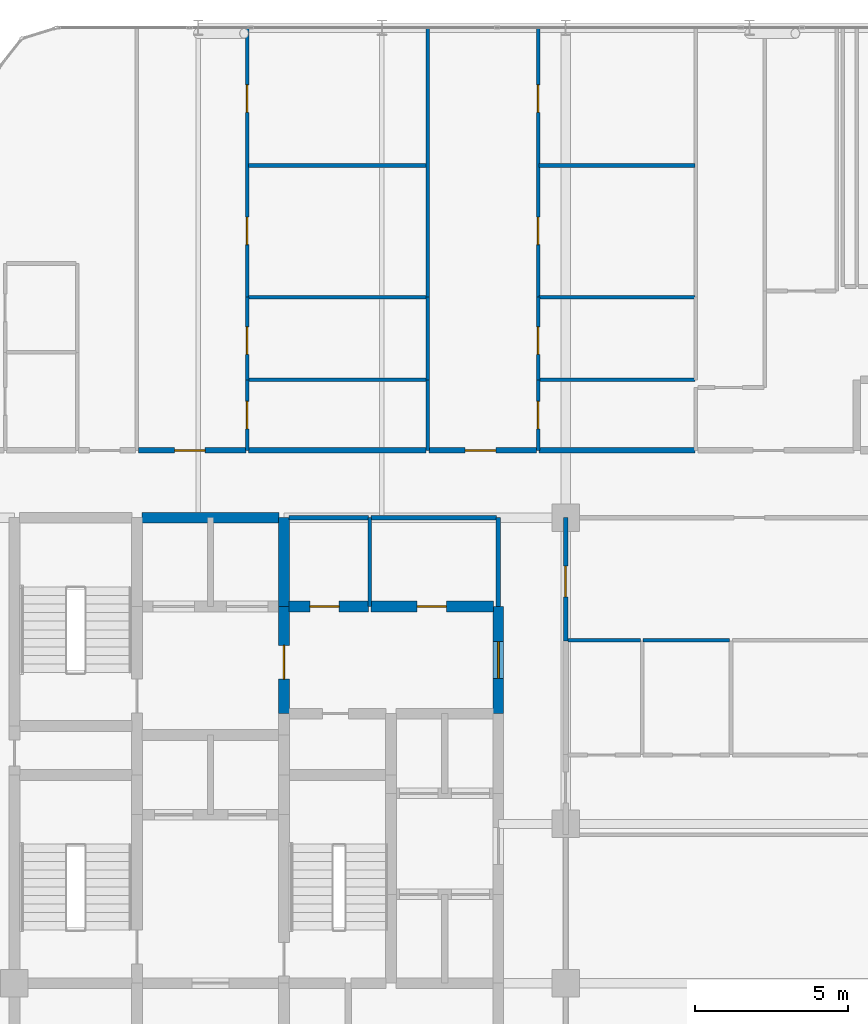
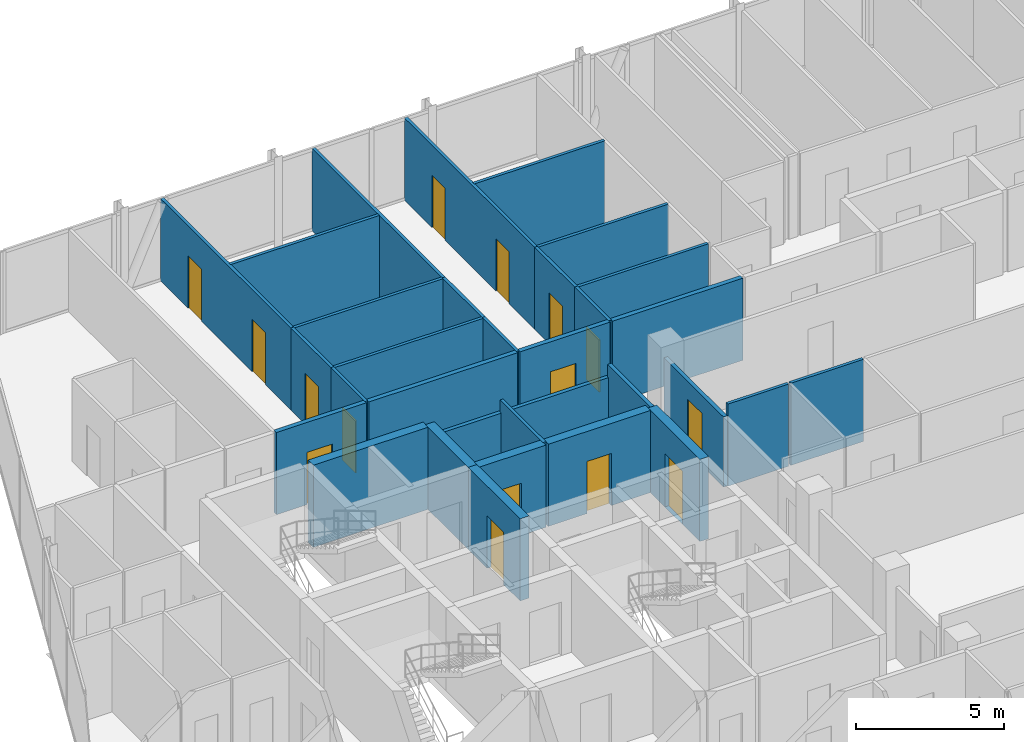
# One storey, part 29 of 32: 32 walls, 15 doors, 15 openings.
"""IFC4 building model written with IfcOpenShell, lengths in metres."""

from ifc_helpers import new_model, si_unit, direction, frame, frame_2d, origin, place, context, subcontext, project, spatial, rectangle, extrude, material, layer, layer_set, type_object, element, fill, save


model = new_model("IFC4")

# Units and contexts
model_context = context("Model", 3, precision=1e-05, world=origin(), true_north=direction((0.0, 1.0)))
body_context = subcontext(model_context, "Body", "Model", "MODEL_VIEW")
ifc_project = project(units=[si_unit("LENGTHUNIT", "METRE"), si_unit("AREAUNIT", "SQUARE_METRE"), si_unit("VOLUMEUNIT", "CUBIC_METRE"), si_unit("PLANEANGLEUNIT", "RADIAN"), si_unit("MASSUNIT", "GRAM", prefix="KILO")], contexts=[model_context])

# Site, building, storey
site_placement = place(None, origin())
site = spatial("IfcSite", under=ifc_project, at=site_placement, CompositionType="ELEMENT")
building_placement = place(site_placement, origin())
building = spatial("IfcBuilding", under=site, at=building_placement, Name="Keshet Zoharim Tower", CompositionType="ELEMENT")
storey_placement = place(building_placement, frame((0.0, 0.0, 152.0)))
storey = spatial("IfcBuildingStorey", under=building, at=storey_placement, Name="L37", CompositionType="ELEMENT", Elevation=152.0)

# Wall
ifc_material_1 = material(Name="Gypsum Plasterboard", Category="gypsum")
ifc_layer_1 = layer(ifc_material_1, 0.14990234375)
ifc_layer_set_1 = layer_set([ifc_layer_1], Name="Gypsum Plasterboard")
wall_type_1 = type_object("IfcWallType", Name="WL-CLIN-150", PredefinedType="STANDARD", material=ifc_layer_set_1)
wall_1_placement = place(storey_placement, frame((30.800048828125, 35.0, 0.0), z_axis=(0.0, 0.0, 1.0), x_axis=(0.0, 1.0, 0.0)))
element("IfcWall", 1, at=wall_1_placement, inside=storey, type_object=wall_type_1, Name="L37 Interior Wall 063", PredefinedType="STANDARD", context=body_context, shape_type="SweptSolid", body=[
    extrude(rectangle(XDim=2.89990234375, YDim=0.14990234375, at=frame_2d((1.449951171875, 0.0))), origin(), (0.0, 0.0, 1.0), 3.385009765625),
])

# Wall, opening, door
wall_2_placement = place(storey_placement, frame((33.0, 33.8798828125, 0.0), z_axis=(0.0, 0.0, 1.0), x_axis=(0.0, 1.0, 0.0)))
wall_2 = element("IfcWall", 2, at=wall_2_placement, inside=storey, type_object=wall_type_1, Name="L37 Interior Wall 073", PredefinedType="STANDARD", context=body_context, shape_type="SweptSolid", body=[
    extrude(rectangle(XDim=4.02001953125, YDim=0.14990234375, at=frame_2d((2.010009765625, 0.0))), origin(), (0.0, 0.0, 1.0), 2.885009765625),
])
opening_1_placement = place(wall_2_placement, frame((1.43603515625, 0.0, 0.0)))
opening_1 = element("IfcOpeningElement", 3, at=opening_1_placement, cuts=wall_2, Name="Opening D-F310", PredefinedType="OPENING", context=body_context, shape_type="SweptSolid", body=[
    extrude(rectangle(XDim=1.0, YDim=2.14990234375, at=frame_2d((0.5, 1.074951171875))), frame((0.0, 0.0849609375, 0.0), z_axis=(0.0, -1.0, 0.0), x_axis=(1.0, 0.0, 0.0)), (0.0, 0.0, 1.0), 0.169921875),
])
ifc_material_2 = material(Name="Hardwood Timber", Category="wood")
door_type_1 = type_object("IfcDoorType", Name="DR-FD30-100", OperationType="NOTDEFINED", PredefinedType="DOOR", material=ifc_material_2)
door_1_placement = place(opening_1_placement, origin())
door_1 = element("IfcDoor", 4, at=door_1_placement, inside=storey, type_object=door_type_1, Name="L37 North East Residents Services Suite Door 2", OperationType="SINGLE_SWING_LEFT", OverallHeight=2.14990234375, OverallWidth=1.0, PredefinedType="DOOR", context=body_context, shape_type="SweptSolid", body=[
    extrude(rectangle(XDim=1.0, YDim=2.14990234375, at=frame_2d((0.5, 1.074951171875))), frame((0.0, 0.02490234375, 0.0), z_axis=(0.0, -1.0, 0.0), x_axis=(1.0, 0.0, 0.0)), (0.0, 0.0, 1.0), 0.050048828125),
])
fill(opening_1, door_1)

# Walls
wall_3_placement = place(storey_placement, frame((23.9599609375, 37.89990234375, 0.0), z_axis=(0.0, 0.0, 1.0), x_axis=(1.0, 0.0, 0.0)))
element("IfcWall", 5, at=wall_3_placement, inside=storey, type_object=wall_type_1, Name="L37 Interior Wall 189", PredefinedType="STANDARD", context=body_context, shape_type="SweptSolid", body=[
    extrude(rectangle(XDim=2.594970703125, YDim=0.14990234375, at=frame_2d((1.29736328125, 0.0))), origin(), (0.0, 0.0, 1.0), 2.885009765625),
])
wall_4_placement = place(storey_placement, frame((26.64501953125, 37.89990234375, 0.0), z_axis=(0.0, 0.0, 1.0), x_axis=(1.0, 0.0, 0.0)))
element("IfcWall", 6, at=wall_4_placement, inside=storey, type_object=wall_type_1, Name="L37 Interior Wall 190", PredefinedType="STANDARD", context=body_context, shape_type="SweptSolid", body=[
    extrude(rectangle(XDim=4.094970703125, YDim=0.14990234375, at=frame_2d((2.04736328125, 0.0))), origin(), (0.0, 0.0, 1.0), 2.885009765625),
])

# Wall, opening, door
ifc_material_3 = material(Name="Concrete C60/75", Category="concrete")
ifc_layer_2 = layer(ifc_material_3, 0.35009765625)
ifc_layer_set_2 = layer_set([ifc_layer_2], Name="Concrete C60/75")
wall_type_2 = type_object("IfcWallType", Name="WL-CORE-350", PredefinedType="SHEAR", material=ifc_layer_set_2)
wall_5_placement = place(storey_placement, frame((23.800048828125, 31.5, 0.0), z_axis=(0.0, 0.0, 1.0), x_axis=(0.0, 1.0, 0.0)))
wall_5 = element("IfcWall", 7, at=wall_5_placement, inside=storey, type_object=wall_type_2, Name="L37 Core Shear Wall 043", PredefinedType="SHEAR", context=body_context, shape_type="SweptSolid", body=[
    extrude(rectangle(XDim=3.5, YDim=0.35009765625, at=frame_2d((1.75, 0.0))), origin(), (0.0, 0.0, 1.0), 3.385009765625),
])
opening_2_placement = place(wall_5_placement, frame((1.126953125, 0.0, 0.0)))
opening_2 = element("IfcOpeningElement", 8, at=opening_2_placement, cuts=wall_5, Name="Opening D-F611", PredefinedType="OPENING", context=body_context, shape_type="SweptSolid", body=[
    extrude(rectangle(XDim=1.10009765625, YDim=2.14990234375, at=frame_2d((0.550048828125, 1.074951171875))), frame((0.0, 0.18505859375, 0.0), z_axis=(0.0, -1.0, 0.0), x_axis=(1.0, 0.0, 0.0)), (0.0, 0.0, 1.0), 0.3701171875),
])
door_type_2 = type_object("IfcDoorType", Name="DR-FD60-110", OperationType="NOTDEFINED", PredefinedType="DOOR", material=ifc_material_2)
door_2_placement = place(opening_2_placement, origin())
door_2 = element("IfcDoor", 9, at=door_2_placement, inside=storey, type_object=door_type_2, Name="L37 Firefighting Lobby Fire Door", OperationType="SINGLE_SWING_RIGHT", OverallHeight=2.14990234375, OverallWidth=1.10009765625, PredefinedType="DOOR", context=body_context, shape_type="SweptSolid", body=[
    extrude(rectangle(XDim=1.10009765625, YDim=2.14990234375, at=frame_2d((0.550048828125, 1.074951171875))), frame((0.0, 0.02490234375, 0.0), z_axis=(0.0, -1.0, 0.0), x_axis=(1.0, 0.0, 0.0)), (0.0, 0.0, 1.0), 0.050048828125),
])
fill(opening_2, door_2)

# Wall
wall_6_placement = place(storey_placement, frame((23.800048828125, 35.0, 0.0), z_axis=(0.0, 0.0, 1.0), x_axis=(0.0, 1.0, 0.0)))
element("IfcWall", 10, at=wall_6_placement, inside=storey, type_object=wall_type_2, Name="L37 Core Shear Wall 044", PredefinedType="SHEAR", context=body_context, shape_type="SweptSolid", body=[
    extrude(rectangle(XDim=2.89990234375, YDim=0.35009765625, at=frame_2d((1.449951171875, 0.0))), origin(), (0.0, 0.0, 1.0), 3.385009765625),
])

# Wall, opening, door
wall_7_placement = place(storey_placement, frame((30.800048828125, 31.5, 0.0), z_axis=(0.0, 0.0, 1.0), x_axis=(0.0, 1.0, 0.0)))
wall_7 = element("IfcWall", 11, at=wall_7_placement, inside=storey, type_object=wall_type_2, Name="L37 Core Shear Wall 062", PredefinedType="SHEAR", context=body_context, shape_type="SweptSolid", body=[
    extrude(rectangle(XDim=3.5, YDim=0.35009765625, at=frame_2d((1.75, 0.0))), origin(), (0.0, 0.0, 1.0), 3.385009765625),
])
opening_3_placement = place(wall_7_placement, frame((1.14990234375, 0.0, 0.0)))
opening_3 = element("IfcOpeningElement", 12, at=opening_3_placement, cuts=wall_7, Name="Opening D-F612", PredefinedType="OPENING", context=body_context, shape_type="SweptSolid", body=[
    extrude(rectangle(XDim=1.199951171875, YDim=2.199951171875, at=frame_2d((0.60009765625, 1.10009765625))), frame((0.0, 0.18505859375, 0.0), z_axis=(0.0, -1.0, 0.0), x_axis=(1.0, 0.0, 0.0)), (0.0, 0.0, 1.0), 0.3701171875),
])
door_type_3 = type_object("IfcDoorType", Name="DR-FD60-120", OperationType="NOTDEFINED", PredefinedType="DOOR", material=ifc_material_2)
door_3_placement = place(opening_3_placement, origin())
door_3 = element("IfcDoor", 13, at=door_3_placement, inside=storey, type_object=door_type_3, Name="L37 North Lift Lobby East Fire Door", OperationType="SINGLE_SWING_RIGHT", OverallHeight=2.199951171875, OverallWidth=1.199951171875, PredefinedType="DOOR", context=body_context, shape_type="SweptSolid", body=[
    extrude(rectangle(XDim=1.199951171875, YDim=2.199951171875, at=frame_2d((0.60009765625, 1.10009765625))), frame((0.0, 0.02490234375, 0.0), z_axis=(0.0, -1.0, 0.0), x_axis=(1.0, 0.0, 0.0)), (0.0, 0.0, 1.0), 0.050048828125),
])
fill(opening_3, door_3)

wall_8_placement = place(storey_placement, frame((23.9599609375, 35.0, 0.0), z_axis=(0.0, 0.0, 1.0), x_axis=(1.0, 0.0, 0.0)))
wall_8 = element("IfcWall", 14, at=wall_8_placement, inside=storey, type_object=wall_type_2, Name="L37 Core Shear Wall 183", PredefinedType="SHEAR", context=body_context, shape_type="SweptSolid", body=[
    extrude(rectangle(XDim=2.594970703125, YDim=0.35009765625, at=frame_2d((1.29736328125, 0.0))), origin(), (0.0, 0.0, 1.0), 3.385009765625),
])
opening_4_placement = place(wall_8_placement, frame((0.69091796875, 0.0, 0.0)))
opening_4 = element("IfcOpeningElement", 15, at=opening_4_placement, cuts=wall_8, Name="Opening D-F695", PredefinedType="OPENING", context=body_context, shape_type="SweptSolid", body=[
    extrude(rectangle(XDim=0.949951171875, YDim=2.14990234375, at=frame_2d((0.47509765625, 1.074951171875))), frame((0.0, 0.18505859375, 0.0), z_axis=(0.0, -1.0, 0.0), x_axis=(1.0, 0.0, 0.0)), (0.0, 0.0, 1.0), 0.3701171875),
])
door_type_4 = type_object("IfcDoorType", Name="DR-FD60-095", OperationType="NOTDEFINED", PredefinedType="DOOR", material=ifc_material_2)
door_4_placement = place(opening_4_placement, frame((0.949951171875, 0.0, 0.0), z_axis=(0.0, 0.0, 1.0), x_axis=(-1.0, 0.0, 0.0)))
door_4 = element("IfcDoor", 16, at=door_4_placement, inside=storey, type_object=door_type_4, Name="L37 Laundry Room Door", OperationType="SINGLE_SWING_LEFT", OverallHeight=2.14990234375, OverallWidth=0.949951171875, PredefinedType="DOOR", context=body_context, shape_type="SweptSolid", body=[
    extrude(rectangle(XDim=0.949951171875, YDim=2.14990234375, at=frame_2d((0.47509765625, 1.074951171875))), frame((0.0, 0.02490234375, 0.0), z_axis=(0.0, -1.0, 0.0), x_axis=(1.0, 0.0, 0.0)), (0.0, 0.0, 1.0), 0.050048828125),
])
fill(opening_4, door_4)

wall_9_placement = place(storey_placement, frame((26.64501953125, 35.0, 0.0), z_axis=(0.0, 0.0, 1.0), x_axis=(1.0, 0.0, 0.0)))
wall_9 = element("IfcWall", 17, at=wall_9_placement, inside=storey, type_object=wall_type_2, Name="L37 Core Shear Wall 184", PredefinedType="SHEAR", context=body_context, shape_type="SweptSolid", body=[
    extrude(rectangle(XDim=3.994873046875, YDim=0.35009765625, at=frame_2d((1.99755859375, 0.0))), origin(), (0.0, 0.0, 1.0), 3.385009765625),
])
opening_5_placement = place(wall_9_placement, frame((1.508056640625, 0.0, 0.0)))
opening_5 = element("IfcOpeningElement", 18, at=opening_5_placement, cuts=wall_9, Name="Opening D-F695", PredefinedType="OPENING", context=body_context, shape_type="SweptSolid", body=[
    extrude(rectangle(XDim=0.949951171875, YDim=2.14990234375, at=frame_2d((0.47509765625, 1.074951171875))), frame((0.0, 0.18505859375, 0.0), z_axis=(0.0, -1.0, 0.0), x_axis=(1.0, 0.0, 0.0)), (0.0, 0.0, 1.0), 0.3701171875),
])
door_5_placement = place(opening_5_placement, frame((0.949951171875, 0.0, 0.0), z_axis=(0.0, 0.0, 1.0), x_axis=(-1.0, 0.0, 0.0)))
door_5 = element("IfcDoor", 19, at=door_5_placement, inside=storey, type_object=door_type_4, Name="L37 Quiet Study Room Door", OperationType="SINGLE_SWING_RIGHT", OverallHeight=2.14990234375, OverallWidth=0.949951171875, PredefinedType="DOOR", context=body_context, shape_type="SweptSolid", body=[
    extrude(rectangle(XDim=0.949951171875, YDim=2.14990234375, at=frame_2d((0.47509765625, 1.074951171875))), frame((0.0, 0.02490234375, 0.0), z_axis=(0.0, -1.0, 0.0), x_axis=(1.0, 0.0, 0.0)), (0.0, 0.0, 1.0), 0.050048828125),
])
fill(opening_5, door_5)

# Wall
wall_10_placement = place(storey_placement, frame((19.159912109375, 37.89990234375, 0.0), z_axis=(0.0, 0.0, 1.0), x_axis=(1.0, 0.0, 0.0)))
element("IfcWall", 20, at=wall_10_placement, inside=storey, type_object=wall_type_2, Name="L37 Core Shear Wall 188", PredefinedType="SHEAR", context=body_context, shape_type="SweptSolid", body=[
    extrude(rectangle(XDim=4.47998046875, YDim=0.35009765625, at=frame_2d((2.239990234375, 0.0))), origin(), (0.0, 0.0, 1.0), 3.385009765625),
])

# Wall, opening, door
ifc_layer_3 = layer(ifc_material_1, 0.179931640625)
ifc_layer_set_3 = layer_set([ifc_layer_3], Name="Gypsum Plasterboard")
wall_type_3 = type_object("IfcWallType", Name="WL-CORR-180", PredefinedType="STANDARD", material=ifc_layer_set_3)
wall_11_placement = place(storey_placement, frame((19.044921875, 40.10009765625, 0.0), z_axis=(0.0, 0.0, 1.0), x_axis=(1.0, 0.0, 0.0)))
wall_11 = element("IfcWall", 21, at=wall_11_placement, inside=storey, type_object=wall_type_3, Name="L37 Interior Wall 197", PredefinedType="STANDARD", context=body_context, shape_type="SweptSolid", body=[
    extrude(rectangle(XDim=3.510009765625, YDim=0.179931640625, at=frame_2d((1.7548828125, 0.0))), origin(), (0.0, 0.0, 1.0), 3.385009765625),
])
opening_6_placement = place(wall_11_placement, frame((1.18505859375, 0.0, 0.0)))
opening_6 = element("IfcOpeningElement", 22, at=opening_6_placement, cuts=wall_11, Name="Opening D-F310", PredefinedType="OPENING", context=body_context, shape_type="SweptSolid", body=[
    extrude(rectangle(XDim=1.0, YDim=2.14990234375, at=frame_2d((0.5, 1.074951171875))), frame((0.0, 0.10009765625, 0.0), z_axis=(0.0, -1.0, 0.0), x_axis=(1.0, 0.0, 0.0)), (0.0, 0.0, 1.0), 0.199951171875),
])
door_6_placement = place(opening_6_placement, origin())
door_6 = element("IfcDoor", 23, at=door_6_placement, inside=storey, type_object=door_type_1, Name="Apartment 3707 Entrance Door", OperationType="SINGLE_SWING_LEFT", OverallHeight=2.14990234375, OverallWidth=1.0, PredefinedType="DOOR", context=body_context, shape_type="SweptSolid", body=[
    extrude(rectangle(XDim=1.0, YDim=2.14990234375, at=frame_2d((0.5, 1.074951171875))), frame((0.0, 0.02490234375, 0.0), z_axis=(0.0, -1.0, 0.0), x_axis=(1.0, 0.0, 0.0)), (0.0, 0.0, 1.0), 0.050048828125),
])
fill(opening_6, door_6)

# Wall
wall_12_placement = place(storey_placement, frame((22.64501953125, 40.10009765625, 0.0), z_axis=(0.0, 0.0, 1.0), x_axis=(1.0, 0.0, 0.0)))
element("IfcWall", 24, at=wall_12_placement, inside=storey, type_object=wall_type_3, Name="L37 Interior Wall 198", PredefinedType="STANDARD", context=body_context, shape_type="SweptSolid", body=[
    extrude(rectangle(XDim=5.800048828125, YDim=0.179931640625, at=frame_2d((2.89990234375, 0.0))), origin(), (0.0, 0.0, 1.0), 3.385009765625),
])

# Wall, opening, door
wall_13_placement = place(storey_placement, frame((28.534912109375, 40.10009765625, 0.0), z_axis=(0.0, 0.0, 1.0), x_axis=(1.0, 0.0, 0.0)))
wall_13 = element("IfcWall", 25, at=wall_13_placement, inside=storey, type_object=wall_type_3, Name="L37 Interior Wall 199", PredefinedType="STANDARD", context=body_context, shape_type="SweptSolid", body=[
    extrude(rectangle(XDim=3.510009765625, YDim=0.179931640625, at=frame_2d((1.7548828125, 0.0))), origin(), (0.0, 0.0, 1.0), 3.385009765625),
])
opening_7_placement = place(wall_13_placement, frame((1.18505859375, 0.0, 0.0)))
opening_7 = element("IfcOpeningElement", 26, at=opening_7_placement, cuts=wall_13, Name="Opening D-F310", PredefinedType="OPENING", context=body_context, shape_type="SweptSolid", body=[
    extrude(rectangle(XDim=1.0, YDim=2.14990234375, at=frame_2d((0.5, 1.074951171875))), frame((0.0, 0.10009765625, 0.0), z_axis=(0.0, -1.0, 0.0), x_axis=(1.0, 0.0, 0.0)), (0.0, 0.0, 1.0), 0.199951171875),
])
door_7_placement = place(opening_7_placement, origin())
door_7 = element("IfcDoor", 27, at=door_7_placement, inside=storey, type_object=door_type_1, Name="Apartment 3708 Entrance Door", OperationType="SINGLE_SWING_RIGHT", OverallHeight=2.14990234375, OverallWidth=1.0, PredefinedType="DOOR", context=body_context, shape_type="SweptSolid", body=[
    extrude(rectangle(XDim=1.0, YDim=2.14990234375, at=frame_2d((0.5, 1.074951171875))), frame((0.0, 0.02490234375, 0.0), z_axis=(0.0, -1.0, 0.0), x_axis=(1.0, 0.0, 0.0)), (0.0, 0.0, 1.0), 0.050048828125),
])
fill(opening_7, door_7)

# Wall
wall_14_placement = place(storey_placement, frame((32.135009765625, 40.10009765625, 0.0), z_axis=(0.0, 0.0, 1.0), x_axis=(1.0, 0.0, 0.0)))
element("IfcWall", 28, at=wall_14_placement, inside=storey, type_object=wall_type_3, Name="L37 Interior Wall 200", PredefinedType="STANDARD", context=body_context, shape_type="SweptSolid", body=[
    extrude(rectangle(XDim=5.090087890625, YDim=0.179931640625, at=frame_2d((2.544921875, 0.0))), origin(), (0.0, 0.0, 1.0), 3.385009765625),
])

# Wall, opening, door
ifc_layer_4 = layer(ifc_material_1, 0.1201171875)
ifc_layer_set_4 = layer_set([ifc_layer_4], Name="Gypsum Plasterboard")
wall_type_4 = type_object("IfcWallType", Name="WL-PART-120", PredefinedType="PARTITIONING", material=ifc_layer_set_4)
wall_15_placement = place(storey_placement, frame((22.60009765625, 40.10009765625, 0.0), z_axis=(0.0, 0.0, 1.0), x_axis=(0.0, 1.0, 0.0)))
wall_15 = element("IfcWall", 29, at=wall_15_placement, inside=storey, type_object=wall_type_4, Name="L37 Interior Wall 035", PredefinedType="PARTITIONING", context=body_context, shape_type="SweptSolid", body=[
    extrude(rectangle(XDim=2.2998046875, YDim=0.1201171875, at=frame_2d((1.14990234375, 0.0))), origin(), (0.0, 0.0, 1.0), 3.385009765625),
])
opening_8_placement = place(wall_15_placement, frame((0.699951171875, 0.0, 0.0)))
opening_8 = element("IfcOpeningElement", 30, at=opening_8_placement, cuts=wall_15, Name="Opening D-IN90", PredefinedType="OPENING", context=body_context, shape_type="SweptSolid", body=[
    extrude(rectangle(XDim=0.89990234375, YDim=2.14990234375, at=frame_2d((0.449951171875, 1.074951171875))), frame((0.0, 0.070068359375, 0.0), z_axis=(0.0, -1.0, 0.0), x_axis=(1.0, 0.0, 0.0)), (0.0, 0.0, 1.0), 0.14013671875),
])
door_type_5 = type_object("IfcDoorType", Name="DR-INT-090", OperationType="NOTDEFINED", PredefinedType="DOOR", material=ifc_material_2)
door_8_placement = place(opening_8_placement, origin())
door_8 = element("IfcDoor", 31, at=door_8_placement, inside=storey, type_object=door_type_5, Name="Apartment 3707 Kitchen Door", OperationType="SINGLE_SWING_LEFT", OverallHeight=2.14990234375, OverallWidth=0.89990234375, PredefinedType="DOOR", context=body_context, shape_type="SweptSolid", body=[
    extrude(rectangle(XDim=0.89990234375, YDim=2.14990234375, at=frame_2d((0.449951171875, 1.074951171875))), frame((0.0, 0.02490234375, 0.0), z_axis=(0.0, -1.0, 0.0), x_axis=(1.0, 0.0, 0.0)), (0.0, 0.0, 1.0), 0.050048828125),
])
fill(opening_8, door_8)

# Wall, openings, doors
wall_16_placement = place(storey_placement, frame((22.60009765625, 45.10009765625, 0.0), z_axis=(0.0, 0.0, 1.0), x_axis=(0.0, 1.0, 0.0)))
wall_16 = element("IfcWall", 32, at=wall_16_placement, inside=storey, type_object=wall_type_4, Name="L37 Interior Wall 037", PredefinedType="PARTITIONING", context=body_context, shape_type="SweptSolid", body=[
    extrude(rectangle(XDim=8.789794921875, YDim=0.1201171875, at=frame_2d((4.39501953125, 0.0))), origin(), (0.0, 0.0, 1.0), 3.385009765625),
])
opening_9_placement = place(wall_16_placement, frame((1.7119140625, 0.0, 0.0)))
opening_9 = element("IfcOpeningElement", 33, at=opening_9_placement, cuts=wall_16, Name="Opening D-IN90", PredefinedType="OPENING", context=body_context, shape_type="SweptSolid", body=[
    extrude(rectangle(XDim=0.89990234375, YDim=2.14990234375, at=frame_2d((0.449951171875, 1.074951171875))), frame((0.0, 0.070068359375, 0.0), z_axis=(0.0, -1.0, 0.0), x_axis=(1.0, 0.0, 0.0)), (0.0, 0.0, 1.0), 0.14013671875),
])
opening_10_placement = place(wall_16_placement, frame((6.030029296875, 0.0, 0.0)))
opening_10 = element("IfcOpeningElement", 34, at=opening_10_placement, cuts=wall_16, Name="Opening D-IN90", PredefinedType="OPENING", context=body_context, shape_type="SweptSolid", body=[
    extrude(rectangle(XDim=0.89990234375, YDim=2.14990234375, at=frame_2d((0.449951171875, 1.074951171875))), frame((0.0, 0.070068359375, 0.0), z_axis=(0.0, -1.0, 0.0), x_axis=(1.0, 0.0, 0.0)), (0.0, 0.0, 1.0), 0.14013671875),
])
door_9_placement = place(opening_9_placement, origin())
door_9 = element("IfcDoor", 35, at=door_9_placement, inside=storey, type_object=door_type_5, Name="Apartment 3707 Bedroom 1 Door", OperationType="SINGLE_SWING_LEFT", OverallHeight=2.14990234375, OverallWidth=0.89990234375, PredefinedType="DOOR", context=body_context, shape_type="SweptSolid", body=[
    extrude(rectangle(XDim=0.89990234375, YDim=2.14990234375, at=frame_2d((0.449951171875, 1.074951171875))), frame((0.0, 0.02490234375, 0.0), z_axis=(0.0, -1.0, 0.0), x_axis=(1.0, 0.0, 0.0)), (0.0, 0.0, 1.0), 0.050048828125),
])
fill(opening_9, door_9)
door_10_placement = place(opening_10_placement, origin())
door_10 = element("IfcDoor", 36, at=door_10_placement, inside=storey, type_object=door_type_5, Name="Apartment 3707 Bedroom 2 Door", OperationType="SINGLE_SWING_RIGHT", OverallHeight=2.14990234375, OverallWidth=0.89990234375, PredefinedType="DOOR", context=body_context, shape_type="SweptSolid", body=[
    extrude(rectangle(XDim=0.89990234375, YDim=2.14990234375, at=frame_2d((0.449951171875, 1.074951171875))), frame((0.0, 0.02490234375, 0.0), z_axis=(0.0, -1.0, 0.0), x_axis=(1.0, 0.0, 0.0)), (0.0, 0.0, 1.0), 0.050048828125),
])
fill(opening_10, door_10)

# Walls
wall_17_placement = place(storey_placement, frame((26.60009765625, 35.0, 0.0), z_axis=(0.0, 0.0, 1.0), x_axis=(0.0, 1.0, 0.0)))
element("IfcWall", 37, at=wall_17_placement, inside=storey, type_object=wall_type_4, Name="L37 Interior Wall 047", PredefinedType="PARTITIONING", context=body_context, shape_type="SweptSolid", body=[
    extrude(rectangle(XDim=2.89990234375, YDim=0.1201171875, at=frame_2d((1.449951171875, 0.0))), origin(), (0.0, 0.0, 1.0), 3.385009765625),
])
wall_18_placement = place(storey_placement, frame((28.5, 40.10009765625, 0.0), z_axis=(0.0, 0.0, 1.0), x_axis=(0.0, 1.0, 0.0)))
element("IfcWall", 38, at=wall_18_placement, inside=storey, type_object=wall_type_4, Name="L37 Interior Wall 052", PredefinedType="PARTITIONING", context=body_context, shape_type="SweptSolid", body=[
    extrude(rectangle(XDim=2.2998046875, YDim=0.1201171875, at=frame_2d((1.14990234375, 0.0))), origin(), (0.0, 0.0, 1.0), 3.385009765625),
])
wall_19_placement = place(storey_placement, frame((28.5, 45.10009765625, 0.0), z_axis=(0.0, 0.0, 1.0), x_axis=(0.0, 1.0, 0.0)))
element("IfcWall", 39, at=wall_19_placement, inside=storey, type_object=wall_type_4, Name="L37 Interior Wall 054", PredefinedType="PARTITIONING", context=body_context, shape_type="SweptSolid", body=[
    extrude(rectangle(XDim=8.789794921875, YDim=0.1201171875, at=frame_2d((4.39501953125, 0.0))), origin(), (0.0, 0.0, 1.0), 3.385009765625),
])

# Wall, opening, door
wall_20_placement = place(storey_placement, frame((32.10009765625, 40.10009765625, 0.0), z_axis=(0.0, 0.0, 1.0), x_axis=(0.0, 1.0, 0.0)))
wall_20 = element("IfcWall", 40, at=wall_20_placement, inside=storey, type_object=wall_type_4, Name="L37 Interior Wall 064", PredefinedType="PARTITIONING", context=body_context, shape_type="SweptSolid", body=[
    extrude(rectangle(XDim=2.2998046875, YDim=0.1201171875, at=frame_2d((1.14990234375, 0.0))), origin(), (0.0, 0.0, 1.0), 3.385009765625),
])
opening_11_placement = place(wall_20_placement, frame((0.699951171875, 0.0, 0.0)))
opening_11 = element("IfcOpeningElement", 41, at=opening_11_placement, cuts=wall_20, Name="Opening D-IN90", PredefinedType="OPENING", context=body_context, shape_type="SweptSolid", body=[
    extrude(rectangle(XDim=0.89990234375, YDim=2.14990234375, at=frame_2d((0.449951171875, 1.074951171875))), frame((0.0, 0.070068359375, 0.0), z_axis=(0.0, -1.0, 0.0), x_axis=(1.0, 0.0, 0.0)), (0.0, 0.0, 1.0), 0.14013671875),
])
door_11_placement = place(opening_11_placement, origin())
door_11 = element("IfcDoor", 42, at=door_11_placement, inside=storey, type_object=door_type_5, Name="Apartment 3708 Kitchen Door", OperationType="SINGLE_SWING_LEFT", OverallHeight=2.14990234375, OverallWidth=0.89990234375, PredefinedType="DOOR", context=body_context, shape_type="SweptSolid", body=[
    extrude(rectangle(XDim=0.89990234375, YDim=2.14990234375, at=frame_2d((0.449951171875, 1.074951171875))), frame((0.0, 0.02490234375, 0.0), z_axis=(0.0, -1.0, 0.0), x_axis=(1.0, 0.0, 0.0)), (0.0, 0.0, 1.0), 0.050048828125),
])
fill(opening_11, door_11)

# Wall, openings, doors
wall_21_placement = place(storey_placement, frame((32.10009765625, 45.10009765625, 0.0), z_axis=(0.0, 0.0, 1.0), x_axis=(0.0, 1.0, 0.0)))
wall_21 = element("IfcWall", 43, at=wall_21_placement, inside=storey, type_object=wall_type_4, Name="L37 Interior Wall 066", PredefinedType="PARTITIONING", context=body_context, shape_type="SweptSolid", body=[
    extrude(rectangle(XDim=8.789794921875, YDim=0.1201171875, at=frame_2d((4.39501953125, 0.0))), origin(), (0.0, 0.0, 1.0), 3.385009765625),
])
opening_12_placement = place(wall_21_placement, frame((1.7119140625, 0.0, 0.0)))
opening_12 = element("IfcOpeningElement", 44, at=opening_12_placement, cuts=wall_21, Name="Opening D-IN90", PredefinedType="OPENING", context=body_context, shape_type="SweptSolid", body=[
    extrude(rectangle(XDim=0.89990234375, YDim=2.14990234375, at=frame_2d((0.449951171875, 1.074951171875))), frame((0.0, 0.070068359375, 0.0), z_axis=(0.0, -1.0, 0.0), x_axis=(1.0, 0.0, 0.0)), (0.0, 0.0, 1.0), 0.14013671875),
])
opening_13_placement = place(wall_21_placement, frame((6.030029296875, 0.0, 0.0)))
opening_13 = element("IfcOpeningElement", 45, at=opening_13_placement, cuts=wall_21, Name="Opening D-IN90", PredefinedType="OPENING", context=body_context, shape_type="SweptSolid", body=[
    extrude(rectangle(XDim=0.89990234375, YDim=2.14990234375, at=frame_2d((0.449951171875, 1.074951171875))), frame((0.0, 0.070068359375, 0.0), z_axis=(0.0, -1.0, 0.0), x_axis=(1.0, 0.0, 0.0)), (0.0, 0.0, 1.0), 0.14013671875),
])
door_12_placement = place(opening_12_placement, origin())
door_12 = element("IfcDoor", 46, at=door_12_placement, inside=storey, type_object=door_type_5, Name="Apartment 3708 Bedroom 1 Door", OperationType="SINGLE_SWING_LEFT", OverallHeight=2.14990234375, OverallWidth=0.89990234375, PredefinedType="DOOR", context=body_context, shape_type="SweptSolid", body=[
    extrude(rectangle(XDim=0.89990234375, YDim=2.14990234375, at=frame_2d((0.449951171875, 1.074951171875))), frame((0.0, 0.02490234375, 0.0), z_axis=(0.0, -1.0, 0.0), x_axis=(1.0, 0.0, 0.0)), (0.0, 0.0, 1.0), 0.050048828125),
])
fill(opening_12, door_12)
door_13_placement = place(opening_13_placement, origin())
door_13 = element("IfcDoor", 47, at=door_13_placement, inside=storey, type_object=door_type_5, Name="Apartment 3708 Bedroom 2 Door", OperationType="SINGLE_SWING_RIGHT", OverallHeight=2.14990234375, OverallWidth=0.89990234375, PredefinedType="DOOR", context=body_context, shape_type="SweptSolid", body=[
    extrude(rectangle(XDim=0.89990234375, YDim=2.14990234375, at=frame_2d((0.449951171875, 1.074951171875))), frame((0.0, 0.02490234375, 0.0), z_axis=(0.0, -1.0, 0.0), x_axis=(1.0, 0.0, 0.0)), (0.0, 0.0, 1.0), 0.050048828125),
])
fill(opening_13, door_13)

# Walls
wall_22_placement = place(storey_placement, frame((33.074951171875, 33.89990234375, 0.0), z_axis=(0.0, 0.0, 1.0), x_axis=(1.0, 0.0, 0.0)))
element("IfcWall", 48, at=wall_22_placement, inside=storey, type_object=wall_type_4, Name="L37 Interior Wall 179", PredefinedType="PARTITIONING", context=body_context, shape_type="SweptSolid", body=[
    extrude(rectangle(XDim=2.364013671875, YDim=0.1201171875, at=frame_2d((1.18212890625, 0.0))), origin(), (0.0, 0.0, 1.0), 3.385009765625),
])
wall_23_placement = place(storey_placement, frame((22.64501953125, 49.39990234375, 0.0), z_axis=(0.0, 0.0, 1.0), x_axis=(1.0, 0.0, 0.0)))
element("IfcWall", 49, at=wall_23_placement, inside=storey, type_object=wall_type_4, Name="L37 Interior Wall 220", PredefinedType="PARTITIONING", context=body_context, shape_type="SweptSolid", body=[
    extrude(rectangle(XDim=5.800048828125, YDim=0.1201171875, at=frame_2d((2.89990234375, 0.0))), origin(), (0.0, 0.0, 1.0), 3.385009765625),
])
wall_24_placement = place(storey_placement, frame((32.135009765625, 49.39990234375, 0.0), z_axis=(0.0, 0.0, 1.0), x_axis=(1.0, 0.0, 0.0)))
element("IfcWall", 50, at=wall_24_placement, inside=storey, type_object=wall_type_4, Name="L37 Interior Wall 221", PredefinedType="PARTITIONING", context=body_context, shape_type="SweptSolid", body=[
    extrude(rectangle(XDim=5.090087890625, YDim=0.1201171875, at=frame_2d((2.544921875, 0.0))), origin(), (0.0, 0.0, 1.0), 3.385009765625),
])

# Wall, opening, door
ifc_layer_5 = layer(ifc_material_1, 0.1201171875)
ifc_layer_set_5 = layer_set([ifc_layer_5], Name="Gypsum Plasterboard")
wall_type_5 = type_object("IfcWallType", Name="WL-WET-120", PredefinedType="PARTITIONING", material=ifc_layer_set_5)
wall_25_placement = place(storey_placement, frame((22.60009765625, 42.39990234375, 0.0), z_axis=(0.0, 0.0, 1.0), x_axis=(0.0, 1.0, 0.0)))
wall_25 = element("IfcWall", 51, at=wall_25_placement, inside=storey, type_object=wall_type_5, Name="L37 Interior Wall 036", PredefinedType="PARTITIONING", context=body_context, shape_type="SweptSolid", body=[
    extrude(rectangle(XDim=2.7001953125, YDim=0.1201171875, at=frame_2d((1.35009765625, 0.0))), origin(), (0.0, 0.0, 1.0), 3.385009765625),
])
opening_14_placement = place(wall_25_placement, frame((0.827880859375, 0.0, 0.0)))
opening_14 = element("IfcOpeningElement", 52, at=opening_14_placement, cuts=wall_25, Name="Opening D-WT90", PredefinedType="OPENING", context=body_context, shape_type="SweptSolid", body=[
    extrude(rectangle(XDim=0.89990234375, YDim=2.10009765625, at=frame_2d((0.449951171875, 1.050048828125))), frame((0.0, 0.070068359375, 0.0), z_axis=(0.0, -1.0, 0.0), x_axis=(1.0, 0.0, 0.0)), (0.0, 0.0, 1.0), 0.14013671875),
])
door_type_6 = type_object("IfcDoorType", Name="DR-WET-090", OperationType="NOTDEFINED", PredefinedType="DOOR", material=ifc_material_2)
door_14_placement = place(opening_14_placement, origin())
door_14 = element("IfcDoor", 53, at=door_14_placement, inside=storey, type_object=door_type_6, Name="Apartment 3707 Bathroom Door", OperationType="SINGLE_SWING_RIGHT", OverallHeight=2.10009765625, OverallWidth=0.89990234375, PredefinedType="DOOR", context=body_context, shape_type="SweptSolid", body=[
    extrude(rectangle(XDim=0.89990234375, YDim=2.10009765625, at=frame_2d((0.449951171875, 1.050048828125))), frame((0.0, 0.02490234375, 0.0), z_axis=(0.0, -1.0, 0.0), x_axis=(1.0, 0.0, 0.0)), (0.0, 0.0, 1.0), 0.050048828125),
])
fill(opening_14, door_14)

# Wall
wall_26_placement = place(storey_placement, frame((28.5, 42.39990234375, 0.0), z_axis=(0.0, 0.0, 1.0), x_axis=(0.0, 1.0, 0.0)))
element("IfcWall", 54, at=wall_26_placement, inside=storey, type_object=wall_type_5, Name="L37 Interior Wall 053", PredefinedType="PARTITIONING", context=body_context, shape_type="SweptSolid", body=[
    extrude(rectangle(XDim=2.7001953125, YDim=0.1201171875, at=frame_2d((1.35009765625, 0.0))), origin(), (0.0, 0.0, 1.0), 3.385009765625),
])

# Wall, opening, door
wall_27_placement = place(storey_placement, frame((32.10009765625, 42.39990234375, 0.0), z_axis=(0.0, 0.0, 1.0), x_axis=(0.0, 1.0, 0.0)))
wall_27 = element("IfcWall", 55, at=wall_27_placement, inside=storey, type_object=wall_type_5, Name="L37 Interior Wall 065", PredefinedType="PARTITIONING", context=body_context, shape_type="SweptSolid", body=[
    extrude(rectangle(XDim=2.7001953125, YDim=0.1201171875, at=frame_2d((1.35009765625, 0.0))), origin(), (0.0, 0.0, 1.0), 3.385009765625),
])
opening_15_placement = place(wall_27_placement, frame((0.827880859375, 0.0, 0.0)))
opening_15 = element("IfcOpeningElement", 56, at=opening_15_placement, cuts=wall_27, Name="Opening D-WT90", PredefinedType="OPENING", context=body_context, shape_type="SweptSolid", body=[
    extrude(rectangle(XDim=0.89990234375, YDim=2.10009765625, at=frame_2d((0.449951171875, 1.050048828125))), frame((0.0, 0.070068359375, 0.0), z_axis=(0.0, -1.0, 0.0), x_axis=(1.0, 0.0, 0.0)), (0.0, 0.0, 1.0), 0.14013671875),
])
door_15_placement = place(opening_15_placement, origin())
door_15 = element("IfcDoor", 57, at=door_15_placement, inside=storey, type_object=door_type_6, Name="Apartment 3708 Bathroom Door", OperationType="SINGLE_SWING_RIGHT", OverallHeight=2.10009765625, OverallWidth=0.89990234375, PredefinedType="DOOR", context=body_context, shape_type="SweptSolid", body=[
    extrude(rectangle(XDim=0.89990234375, YDim=2.10009765625, at=frame_2d((0.449951171875, 1.050048828125))), frame((0.0, 0.02490234375, 0.0), z_axis=(0.0, -1.0, 0.0), x_axis=(1.0, 0.0, 0.0)), (0.0, 0.0, 1.0), 0.050048828125),
])
fill(opening_15, door_15)

# Walls
wall_28_placement = place(storey_placement, frame((35.529052734375, 33.89990234375, 0.0), z_axis=(0.0, 0.0, 1.0), x_axis=(1.0, 0.0, 0.0)))
element("IfcWall", 58, at=wall_28_placement, inside=storey, type_object=wall_type_5, Name="L37 Interior Wall 180", PredefinedType="PARTITIONING", context=body_context, shape_type="SweptSolid", body=[
    extrude(rectangle(XDim=2.825927734375, YDim=0.1201171875, at=frame_2d((1.4130859375, 0.0))), origin(), (0.0, 0.0, 1.0), 3.385009765625),
])
wall_29_placement = place(storey_placement, frame((22.64501953125, 42.39990234375, 0.0), z_axis=(0.0, 0.0, 1.0), x_axis=(1.0, 0.0, 0.0)))
element("IfcWall", 59, at=wall_29_placement, inside=storey, type_object=wall_type_5, Name="L37 Interior Wall 208", PredefinedType="PARTITIONING", context=body_context, shape_type="SweptSolid", body=[
    extrude(rectangle(XDim=5.800048828125, YDim=0.1201171875, at=frame_2d((2.89990234375, 0.0))), origin(), (0.0, 0.0, 1.0), 3.385009765625),
])
wall_30_placement = place(storey_placement, frame((32.135009765625, 42.39990234375, 0.0), z_axis=(0.0, 0.0, 1.0), x_axis=(1.0, 0.0, 0.0)))
element("IfcWall", 60, at=wall_30_placement, inside=storey, type_object=wall_type_5, Name="L37 Interior Wall 209", PredefinedType="PARTITIONING", context=body_context, shape_type="SweptSolid", body=[
    extrude(rectangle(XDim=5.090087890625, YDim=0.1201171875, at=frame_2d((2.544921875, 0.0))), origin(), (0.0, 0.0, 1.0), 3.385009765625),
])
wall_31_placement = place(storey_placement, frame((22.64501953125, 45.10009765625, 0.0), z_axis=(0.0, 0.0, 1.0), x_axis=(1.0, 0.0, 0.0)))
element("IfcWall", 61, at=wall_31_placement, inside=storey, type_object=wall_type_5, Name="L37 Interior Wall 214", PredefinedType="PARTITIONING", context=body_context, shape_type="SweptSolid", body=[
    extrude(rectangle(XDim=5.800048828125, YDim=0.1201171875, at=frame_2d((2.89990234375, 0.0))), origin(), (0.0, 0.0, 1.0), 3.385009765625),
])
wall_32_placement = place(storey_placement, frame((32.135009765625, 45.10009765625, 0.0), z_axis=(0.0, 0.0, 1.0), x_axis=(1.0, 0.0, 0.0)))
element("IfcWall", 62, at=wall_32_placement, inside=storey, type_object=wall_type_5, Name="L37 Interior Wall 215", PredefinedType="PARTITIONING", context=body_context, shape_type="SweptSolid", body=[
    extrude(rectangle(XDim=5.090087890625, YDim=0.1201171875, at=frame_2d((2.544921875, 0.0))), origin(), (0.0, 0.0, 1.0), 3.385009765625),
])

save(model, "model.ifc")
